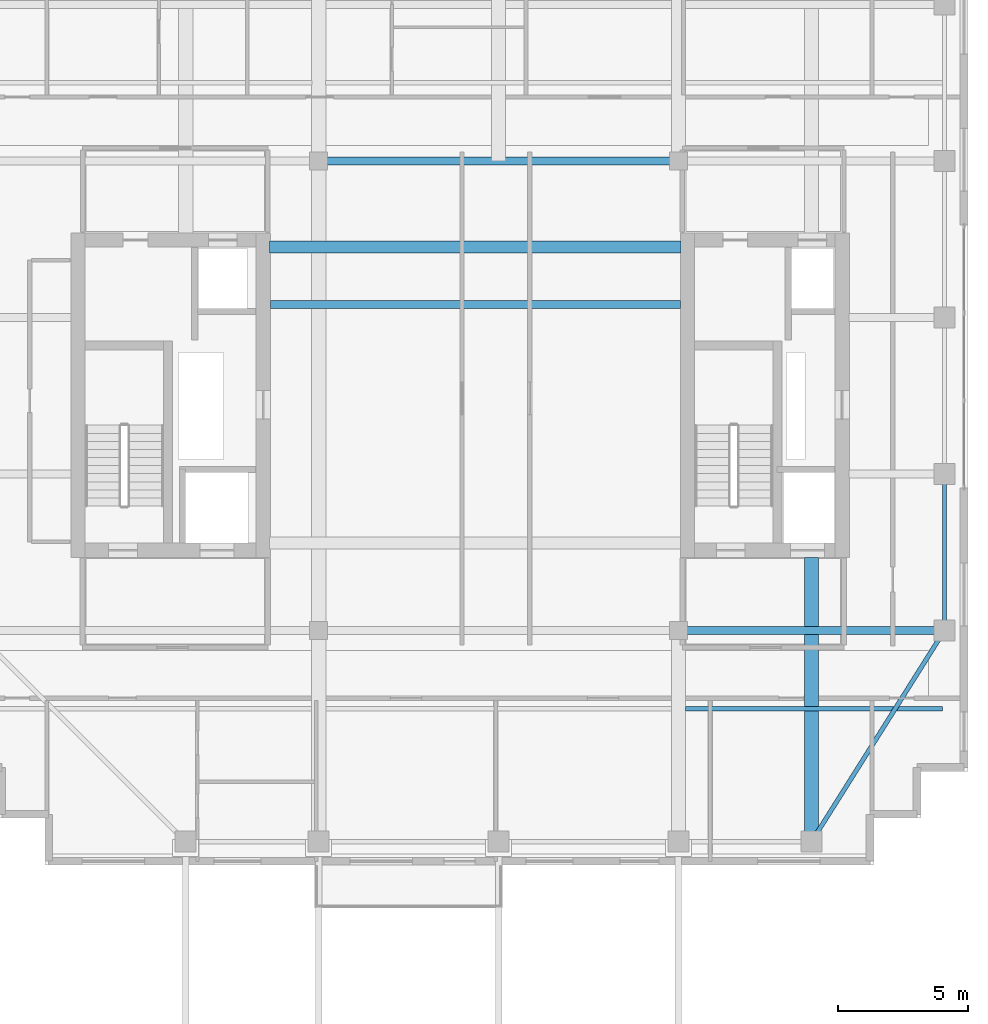
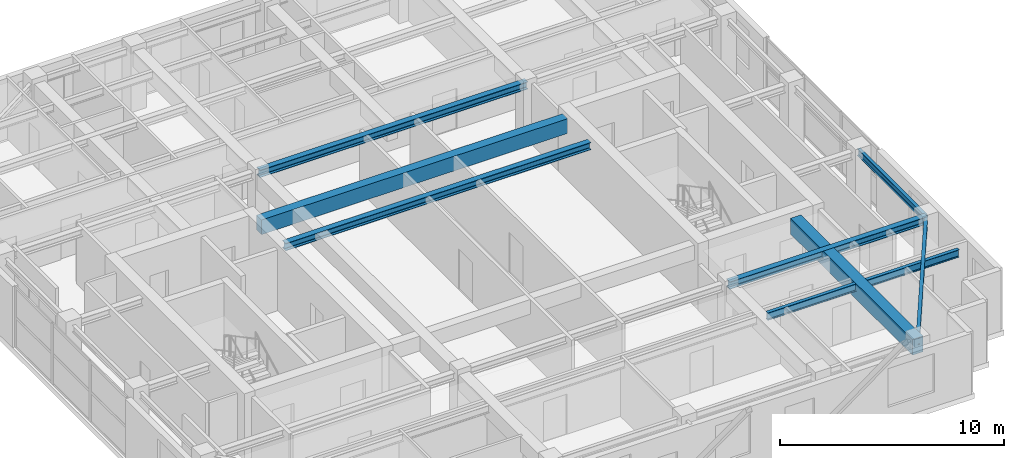
# One storey, part 5 of 14: 8 beams.
"""IFC4 building model written with IfcOpenShell, lengths in metres."""

from ifc_helpers import new_model, si_unit, direction, frame, origin, origin_2d, place, context, subcontext, project, spatial, rectangle, i_section, extrude, source, transform, mapped, material, material_profile, profile_set, type_object, element, save


model = new_model("IFC4")

# Units and contexts
model_context = context("Model", 3, precision=1e-05, world=origin(), true_north=direction((0.0, 1.0)))
body_context = subcontext(model_context, "Body", "Model", "MODEL_VIEW")
ifc_project = project(units=[si_unit("LENGTHUNIT", "METRE"), si_unit("AREAUNIT", "SQUARE_METRE"), si_unit("VOLUMEUNIT", "CUBIC_METRE"), si_unit("PLANEANGLEUNIT", "RADIAN"), si_unit("MASSUNIT", "GRAM", prefix="KILO")], contexts=[model_context])

# Site, building, storey
site_placement = place(None, origin())
site = spatial("IfcSite", under=ifc_project, at=site_placement, CompositionType="ELEMENT")
building_placement = place(site_placement, origin())
building = spatial("IfcBuilding", under=site, at=building_placement, Name="Khoralis Quay Care Tower", CompositionType="ELEMENT")
storey_placement = place(building_placement, frame((0.0, 0.0, 274.5)))
storey = spatial("IfcBuildingStorey", under=building, at=storey_placement, Name="L72", CompositionType="ELEMENT", Elevation=274.5)

# Beams
ifc_material_1 = material(Name="Concrete C50/60", Category="concrete")
ifc_material_profile_1 = material_profile(ifc_material_1, rectangle(XDim=0.449951171875, YDim=0.800048828125, at=origin_2d()), Name="Concrete C50/60")
ifc_profile_set_1 = profile_set([ifc_material_profile_1], Name="Concrete C50/60")
beam_type_1 = type_object("IfcBeamType", Name="CB-RC450X800", PredefinedType="LINTEL", material=ifc_profile_set_1)
shared_shape_1 = source(origin(), body_context, "Body", "SweptSolid", [
    extrude(rectangle(XDim=0.449951171875, YDim=0.800048828125, at=origin_2d()), origin(), (0.0, 0.0, 1.0), 15.780029296875),
])
beam_1_placement = place(storey_placement, frame((15.219970703125, 26.699951171875, 2.919921875), z_axis=(1.0, 0.0, 0.0), x_axis=(0.0, 1.0, 0.0)))
element("IfcBeam", 1, at=beam_1_placement, inside=storey, type_object=beam_type_1, Name="L72 North Core Coupling Lintel", PredefinedType="LINTEL", context=body_context, shape_type="MappedRepresentation", body=[
    mapped(shared_shape_1, transform((0.0, 0.0, 0.0), scale=1.0)),
])
ifc_material_2 = material(Name="Steel S355", Category="steel")
ifc_material_profile_2 = material_profile(ifc_material_2, i_section(OverallWidth=0.169921875, OverallDepth=0.360107421875, WebThickness=0.008056640625, FlangeThickness=0.0126953125, FilletRadius=0.01806640625, at=origin_2d()), Name="Steel S355")
ifc_profile_set_2 = profile_set([ifc_material_profile_2], Name="Steel S355")
beam_type_2 = type_object("IfcBeamType", Name="BM-IPE360", PredefinedType="SPANDREL", material=ifc_profile_set_2)
shared_shape_2 = source(origin(), body_context, "Body", "SweptSolid", [
    extrude(i_section(OverallWidth=0.169921875, OverallDepth=0.360107421875, WebThickness=0.008056640625, FlangeThickness=0.0126953125, FilletRadius=0.01806640625, at=origin_2d()), origin(), (0.0, 0.0, 1.0), 6.0),
])
beam_2_placement = place(storey_placement, frame((41.10009765625, 12.0, 3.139892578125), z_axis=(0.0, 1.0, 0.0), x_axis=(-1.0, 0.0, 0.0)))
element("IfcBeam", 2, at=beam_2_placement, inside=storey, type_object=beam_type_2, Name="BM-TSP-L72-13", PredefinedType="SPANDREL", context=body_context, shape_type="MappedRepresentation", body=[
    mapped(shared_shape_2, transform((0.0, 0.0, 0.0), scale=1.0)),
])
shared_shape_3 = source(origin(), body_context, "Body", "SweptSolid", [
    extrude(i_section(OverallWidth=0.169921875, OverallDepth=0.360107421875, WebThickness=0.008056640625, FlangeThickness=0.0126953125, FilletRadius=0.01806640625, at=origin_2d()), origin(), (0.0, 0.0, 1.0), 9.572021484375),
])
beam_3_placement = place(storey_placement, frame((36.0, 3.89990234375, 3.139892578125), z_axis=(0.532815975602, 0.846231136359, 0.0), x_axis=(-0.846231136359, 0.532815975602, 0.0)))
element("IfcBeam", 3, at=beam_3_placement, inside=storey, type_object=beam_type_2, Name="BM-TCR-L72-18", PredefinedType="SPANDREL", context=body_context, shape_type="MappedRepresentation", body=[
    mapped(shared_shape_3, transform((0.0, 0.0, 0.0), scale=1.0)),
])
ifc_material_profile_3 = material_profile(ifc_material_2, i_section(OverallWidth=0.300048828125, OverallDepth=0.39990234375, WebThickness=0.013427734375, FlangeThickness=0.02392578125, FilletRadius=0.027099609375, at=origin_2d()), Name="Steel S355")
ifc_profile_set_3 = profile_set([ifc_material_profile_3], Name="Steel S355")
beam_type_3 = type_object("IfcBeamType", Name="BM-HEB400", PredefinedType="BEAM", material=ifc_profile_set_3)
shared_shape_4 = source(origin(), body_context, "Body", "SweptSolid", [
    extrude(i_section(OverallWidth=0.300048828125, OverallDepth=0.39990234375, WebThickness=0.013427734375, FlangeThickness=0.02392578125, FilletRadius=0.027099609375, at=origin_2d()), origin(), (0.0, 0.0, 1.0), 10.2001953125),
])
beam_4_placement = place(storey_placement, frame((30.89990234375, 12.0, 3.1201171875), z_axis=(1.0, 0.0, 0.0), x_axis=(0.0, 1.0, 0.0)))
element("IfcBeam", 4, at=beam_4_placement, inside=storey, type_object=beam_type_3, Name="BM-TGXE-L72-120", PredefinedType="BEAM", context=body_context, shape_type="MappedRepresentation", body=[
    mapped(shared_shape_4, transform((0.0, 0.0, 0.0), scale=1.0)),
])
ifc_material_profile_4 = material_profile(ifc_material_1, rectangle(XDim=0.550048828125, YDim=0.85009765625, at=origin_2d()), Name="Concrete C50/60")
ifc_profile_set_4 = profile_set([ifc_material_profile_4], Name="Concrete C50/60")
beam_type_4 = type_object("IfcBeamType", Name="BM-RC550X850", PredefinedType="BEAM", material=ifc_profile_set_4)
shared_shape_5 = source(origin(), body_context, "Body", "SweptSolid", [
    extrude(rectangle(XDim=0.550048828125, YDim=0.85009765625, at=origin_2d()), origin(), (0.0, 0.0, 1.0), 10.902099609375),
])
beam_5_placement = place(storey_placement, frame((36.0, 3.89990234375, 2.89501953125), z_axis=(0.0, 1.0, 0.0), x_axis=(-1.0, 0.0, 0.0)))
element("IfcBeam", 5, at=beam_5_placement, inside=storey, type_object=beam_type_4, Name="BM-TGYS-L72-360", PredefinedType="BEAM", context=body_context, shape_type="MappedRepresentation", body=[
    mapped(shared_shape_5, transform((0.0, 0.0, 0.0), scale=1.0)),
])
ifc_material_profile_5 = material_profile(ifc_material_2, i_section(OverallWidth=0.177978515625, OverallDepth=0.406982421875, WebThickness=0.0078125, FlangeThickness=0.0126953125, FilletRadius=0.012939453125, at=origin_2d()), Name="Steel S355")
ifc_profile_set_5 = profile_set([ifc_material_profile_5], Name="Steel S355")
beam_type_5 = type_object("IfcBeamType", Name="BM-W410X60", PredefinedType="JOIST", material=ifc_profile_set_5)
shared_shape_6 = source(origin(), body_context, "Body", "SweptSolid", [
    extrude(i_section(OverallWidth=0.177978515625, OverallDepth=0.406982421875, WebThickness=0.0078125, FlangeThickness=0.0126953125, FilletRadius=0.012939453125, at=origin_2d()), origin(), (0.0, 0.0, 1.0), 9.865966796875),
])
beam_6_placement = place(storey_placement, frame((31.1630859375, 9.0, 3.116455078125), z_axis=(1.0, 0.0, 0.0), x_axis=(0.0, 1.0, 0.0)))
element("IfcBeam", 6, at=beam_6_placement, inside=storey, type_object=beam_type_5, Name="BM-TJS-L72-22", PredefinedType="JOIST", context=body_context, shape_type="MappedRepresentation", body=[
    mapped(shared_shape_6, transform((0.0, 0.0, 0.0), scale=1.0)),
])
shared_shape_7 = source(origin(), body_context, "Body", "SweptSolid", [
    extrude(i_section(OverallWidth=0.300048828125, OverallDepth=0.39990234375, WebThickness=0.013427734375, FlangeThickness=0.02392578125, FilletRadius=0.027099609375, at=origin_2d()), origin(), (0.0, 0.0, 1.0), 13.7998046875),
])
beam_7_placement = place(storey_placement, frame((17.10009765625, 30.0, 3.1201171875), z_axis=(1.0, 0.0, 0.0), x_axis=(0.0, 1.0, 0.0)))
element("IfcBeam", 7, at=beam_7_placement, inside=storey, type_object=beam_type_3, Name="BM-TGCC-L72-300", PredefinedType="BEAM", context=body_context, shape_type="MappedRepresentation", body=[
    mapped(shared_shape_7, transform((0.0, 0.0, 0.0), scale=1.0)),
])
shared_shape_8 = source(origin(), body_context, "Body", "SweptSolid", [
    extrude(i_section(OverallWidth=0.300048828125, OverallDepth=0.39990234375, WebThickness=0.013427734375, FlangeThickness=0.02392578125, FilletRadius=0.027099609375, at=origin_2d()), origin(), (0.0, 0.0, 1.0), 15.723876953125),
])
beam_8_placement = place(storey_placement, frame((15.248046875, 24.5, 3.1201171875), z_axis=(1.0, 0.0, 0.0), x_axis=(0.0, 1.0, 0.0)))
element("IfcBeam", 8, at=beam_8_placement, inside=storey, type_object=beam_type_3, Name="BM-TGCC-L72-245", PredefinedType="BEAM", context=body_context, shape_type="MappedRepresentation", body=[
    mapped(shared_shape_8, transform((0.0, 0.0, 0.0), scale=1.0)),
])

save(model, "model.ifc")
